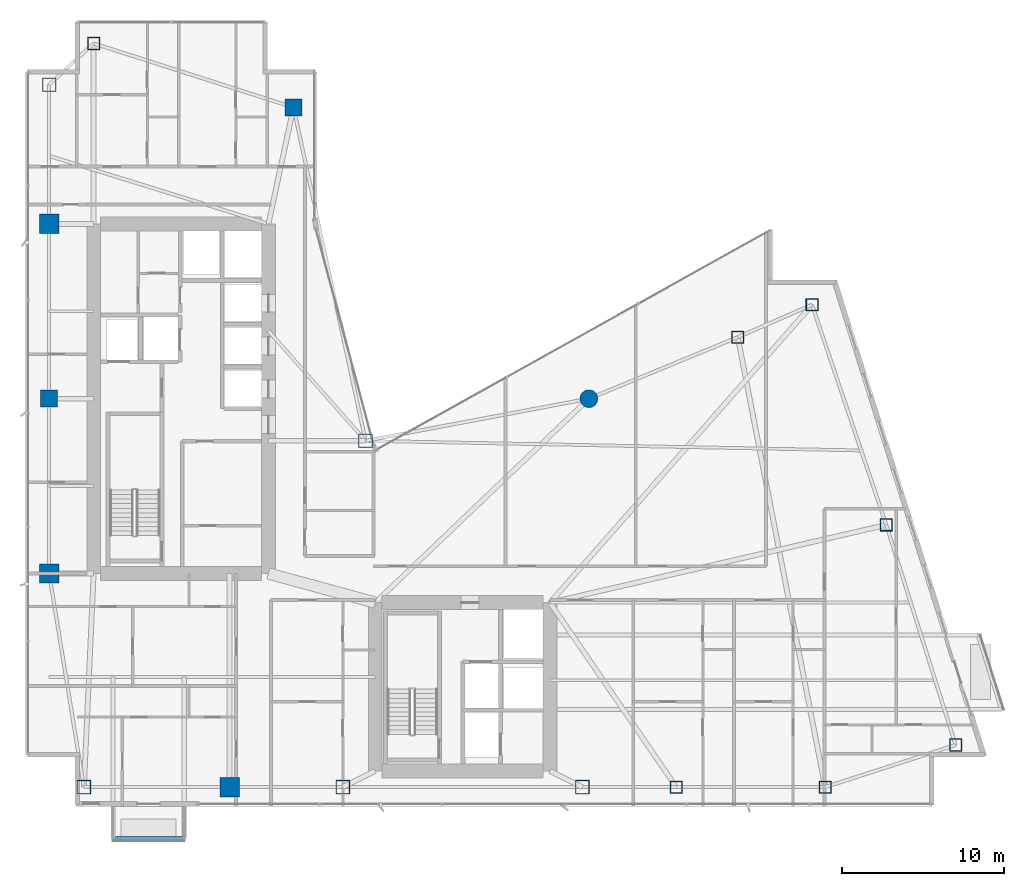
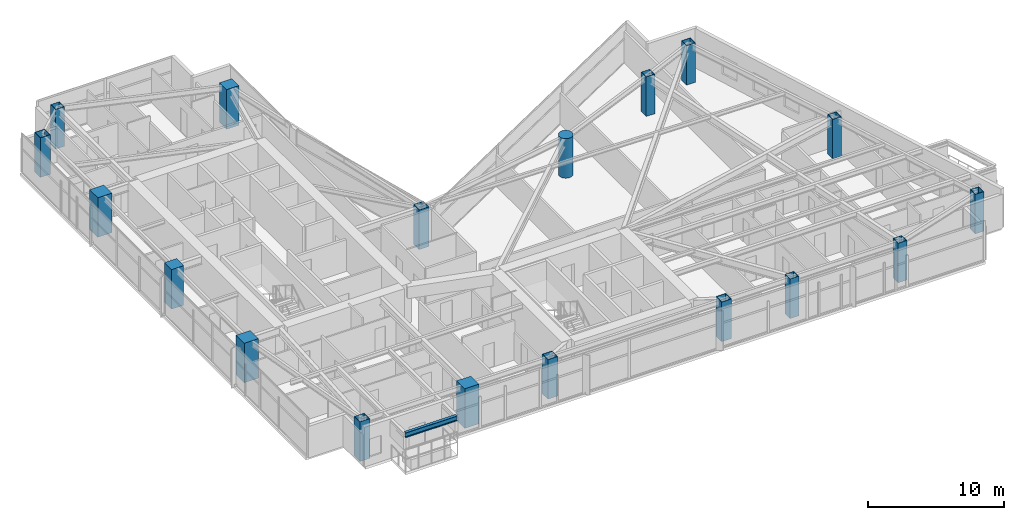
# One storey, part 1 of 29: 18 columns, 1 beam.
"""IFC4 building model written with IfcOpenShell, lengths in metres."""

import ifcopenshell
import ifcopenshell.guid

model = None  # the IFC model being written
_history = None  # IfcOwnerHistory: only IFC2X3 demands one
_inside = {}  # id of a spatial element -> (the spatial element, [elements in it])
_under = {}  # id of a project, library or spatial element -> (it, [spatial elements below it])
_declared = {}  # id of a project -> (the project, [libraries it declares])
_typed = {}  # id of a type object -> (the type object, [elements of that type])
_made_of = {}  # id of a material, layer set ... -> (it, [elements and type objects made of it])


def new_model(schema):
    """Start an empty IFC model of exactly this schema.

    Asked for "IFC4X3", IfcOpenShell would pick the latest addendum, in which some entities
    have other attributes; the version numbers below select the first issue.
    IFC2X3 requires an IfcOwnerHistory on every rooted entity: one is made here for all.
    """
    global model, _history
    if schema == "IFC4X3":
        model = ifcopenshell.file(schema_version=(4, 3, 0, 0))
    else:
        model = ifcopenshell.file(schema=schema)
    _inside.clear()
    _under.clear()
    _declared.clear()
    _typed.clear()
    _made_of.clear()
    _history = None
    if model.schema == "IFC2X3":
        org = make("IfcOrganization", Name="unknown")
        user = make(
            "IfcPersonAndOrganization",
            ThePerson=make("IfcPerson", FamilyName="unknown"),
            TheOrganization=org,
        )
        app = make(
            "IfcApplication",
            ApplicationDeveloper=org,
            Version="unknown",
            ApplicationFullName="unknown",
            ApplicationIdentifier="unknown",
        )
        _history = make(
            "IfcOwnerHistory",
            OwningUser=user,
            OwningApplication=app,
            ChangeAction="ADDED",
            CreationDate=0,
        )
    return model


def make(cls, **values):
    """One entity of the class cls with the attributes given. An attribute that is None is left unset."""
    return model.create_entity(
        cls, **{name: value for name, value in values.items() if value is not None}
    )


def rooted(cls, **values):
    """An entity with a GlobalId (a new one), such as an element, a storey or a relation."""
    return make(cls, GlobalId=ifcopenshell.guid.new(), OwnerHistory=_history, **values)


def si_unit(unit_type, name, prefix=None):
    """IfcSIUnit, for example si_unit("LENGTHUNIT", "METRE", prefix="MILLI")."""
    return make("IfcSIUnit", UnitType=unit_type, Prefix=prefix, Name=name)


def assignment(units):
    """IfcUnitAssignment: the units of a project."""
    return None if units is None else make("IfcUnitAssignment", Units=units)


def point(xyz):
    """IfcCartesianPoint."""
    return None if xyz is None else make("IfcCartesianPoint", Coordinates=xyz)


def direction(xyz):
    """IfcDirection."""
    return None if xyz is None else make("IfcDirection", DirectionRatios=xyz)


def frame(location, z_axis=None, x_axis=None):
    """IfcAxis2Placement3D, a coordinate frame: its origin and axes. An axis left out is left unset."""
    return make(
        "IfcAxis2Placement3D",
        Location=point(location),
        Axis=direction(z_axis),
        RefDirection=direction(x_axis),
    )


def frame_2d(location, x_axis=None):
    """IfcAxis2Placement2D, a coordinate frame in the plane: its origin and x axis."""
    return make(
        "IfcAxis2Placement2D", Location=point(location), RefDirection=direction(x_axis)
    )


def origin():
    """The frame at (0, 0, 0) with its axes left unset."""
    return frame((0.0, 0.0, 0.0))


def origin_2d():
    """The frame at (0, 0) in the plane with its x axis left unset."""
    return frame_2d((0.0, 0.0))


def place(relative_to, where):
    """IfcLocalPlacement: puts the frame where relative to a parent placement (None: the world)."""
    return make(
        "IfcLocalPlacement", PlacementRelTo=relative_to, RelativePlacement=where
    )


def context(
    kind, dimensions, precision=None, world=None, true_north=None, identifier=None
):
    """IfcGeometricRepresentationContext, for example the 3D "Model" context."""
    return make(
        "IfcGeometricRepresentationContext",
        ContextIdentifier=identifier,
        ContextType=kind,
        CoordinateSpaceDimension=dimensions,
        Precision=precision,
        WorldCoordinateSystem=world,
        TrueNorth=true_north,
    )


def subcontext(parent, identifier, kind, view, scale=None):
    """IfcGeometricRepresentationSubContext, for example "Body" below "Model"."""
    return make(
        "IfcGeometricRepresentationSubContext",
        ContextIdentifier=identifier,
        ContextType=kind,
        ParentContext=parent,
        TargetScale=scale,
        TargetView=view,
    )


def project(units=None, contexts=None):
    """IfcProject with its units and contexts."""
    return rooted(
        "IfcProject",
        Name="project",
        RepresentationContexts=contexts,
        UnitsInContext=assignment(units),
    )


def spatial(cls, under=None, at=None, **own):
    """A site, building, storey or space (cls), placed at a placement, below another one or the project."""
    s = rooted(cls, ObjectPlacement=at, **own)
    if under is not None:
        _under.setdefault(under.id(), (under, []))[1].append(s)
    return s


def profile(cls, at=None, kind="AREA", **sizes):
    """A parametric profile (cls). Its sizes go by their IFC names, for example OverallWidth=200.0."""
    return make(cls, ProfileType=kind, Position=at, **sizes)


def rectangle(**sizes):
    """IfcRectangleProfileDef."""
    return profile("IfcRectangleProfileDef", **sizes)


def hollow_rectangle(**sizes):
    """IfcRectangleHollowProfileDef."""
    return profile("IfcRectangleHollowProfileDef", **sizes)


def circle(**sizes):
    """IfcCircleProfileDef."""
    return profile("IfcCircleProfileDef", **sizes)


def i_section(**sizes):
    """IfcIShapeProfileDef."""
    return profile("IfcIShapeProfileDef", **sizes)


def extrude(swept, where, along, depth):
    """IfcExtrudedAreaSolid: the profile swept, set in the frame where, extruded along a direction by depth."""
    return make(
        "IfcExtrudedAreaSolid",
        SweptArea=swept,
        Position=where,
        ExtrudedDirection=direction(along),
        Depth=depth,
    )


def shape(context_of_items, identifier, shape_type, items):
    """IfcShapeRepresentation: the items that make up one representation, for example the "Body"."""
    return make(
        "IfcShapeRepresentation",
        ContextOfItems=context_of_items,
        RepresentationIdentifier=identifier,
        RepresentationType=shape_type,
        Items=items,
    )


def material(Name=None, Category=None):
    """IfcMaterial."""
    return make("IfcMaterial", Name=Name, Category=Category)


def material_profile(
    of_material, cross_section, Name=None, Category=None, Priority=None
):
    """IfcMaterialProfile: a cross section and its material."""
    return make(
        "IfcMaterialProfile",
        Name=Name,
        Material=of_material,
        Profile=cross_section,
        Priority=Priority,
        Category=Category,
    )


def profile_set(profiles, Name=None, composite=None):
    """IfcMaterialProfileSet."""
    return make(
        "IfcMaterialProfileSet",
        Name=Name,
        MaterialProfiles=profiles,
        CompositeProfile=composite,
    )


def made_of(thing, what):
    """Note that an element or type object is made of a material, layer set ...; save() writes the relation."""
    if what is not None:
        _made_of.setdefault(what.id(), (what, []))[1].append(thing)
    return thing


def type_object(cls, material=None, **own):
    """A type object (cls), such as IfcWallType, which elements share."""
    return made_of(rooted(cls, **own), material)


def element(
    cls,
    number,
    at=None,
    inside=None,
    cuts=None,
    type_object=None,
    material=None,
    context=None,
    identifier="Body",
    shape_type=None,
    held_by="IfcProductDefinitionShape",
    body=None,
    shapes=None,
    **own,
):
    """One element of the class cls, such as IfcWall. Its Tag is "e" and its number.

    at: its placement. inside: the storey or other place that contains it. cuts: it is an
    opening in that element (IfcRelVoidsElement). A single representation is given by context,
    identifier, shape_type and body (its items); several are given by shapes. held_by: the class
    of the entity that holds the representations. save() writes the other relations.
    """
    e = rooted(cls, Tag="e%d" % number, ObjectPlacement=at, **own)
    if body is not None:
        shapes = [shape(context, identifier, shape_type, body)]
    if shapes is not None:
        e.Representation = make(held_by, Representations=shapes)
    if inside is not None:
        _inside.setdefault(inside.id(), (inside, []))[1].append(e)
    if cuts is not None:
        rooted(
            "IfcRelVoidsElement", RelatingBuildingElement=cuts, RelatedOpeningElement=e
        )
    if type_object is not None:
        _typed.setdefault(type_object.id(), (type_object, []))[1].append(e)
    return made_of(e, material)


def aggregate(whole, parts):
    """IfcRelAggregates: a whole, such as a stair, and the parts it consists of."""
    return rooted("IfcRelAggregates", RelatingObject=whole, RelatedObjects=parts)


def save(model, path):
    """Write the relations noted so far, then the file.

    IfcRelAggregates (storeys below a building ...), IfcRelContainedInSpatialStructure (elements
    in a storey), IfcRelDefinesByType, IfcRelAssociatesMaterial and IfcRelDeclares: one each for
    every whole, place, type object, material and project.
    """
    for whole, parts in _under.values():
        aggregate(whole, parts)
    for where, things in _inside.values():
        rooted(
            "IfcRelContainedInSpatialStructure",
            RelatedElements=things,
            RelatingStructure=where,
        )
    for kind, things in _typed.values():
        rooted("IfcRelDefinesByType", RelatedObjects=things, RelatingType=kind)
    for what, things in _made_of.values():
        rooted("IfcRelAssociatesMaterial", RelatedObjects=things, RelatingMaterial=what)
    for by, libraries in _declared.values():
        rooted("IfcRelDeclares", RelatingContext=by, RelatedDefinitions=libraries)
    model.write(path)


model = new_model("IFC4")

# Units and contexts
model_context = context("Model", 3, precision=1e-05, world=origin(), true_north=direction((0.0, 1.0)))
body_context = subcontext(model_context, "Body", "Model", "MODEL_VIEW")
ifc_project = project(units=[si_unit("LENGTHUNIT", "METRE"), si_unit("AREAUNIT", "SQUARE_METRE"), si_unit("VOLUMEUNIT", "CUBIC_METRE"), si_unit("PLANEANGLEUNIT", "RADIAN"), si_unit("MASSUNIT", "GRAM", prefix="KILO")], contexts=[model_context])

# Site, building, storey
site_placement = place(None, origin())
site = spatial("IfcSite", under=ifc_project, at=site_placement, CompositionType="ELEMENT")
building_placement = place(site_placement, origin())
building = spatial("IfcBuilding", under=site, at=building_placement, Name="Calvorn Quay Hotel", CompositionType="ELEMENT")
storey_placement = place(building_placement, frame((0.0, 0.0, 120.199951171875)))
storey = spatial("IfcBuildingStorey", under=building, at=storey_placement, Name="L29", CompositionType="ELEMENT", Elevation=120.199951171875)

# Columns
ifc_material_1 = material(Name="Concrete C50", Category="concrete")
ifc_material_profile_1 = material_profile(ifc_material_1, rectangle(XDim=1.050048828125, YDim=1.050048828125, at=origin_2d()), Name="RC1050x1050")
ifc_profile_set_1 = profile_set([ifc_material_profile_1], Name="Concrete C50")
column_type_1 = type_object("IfcColumnType", Name="COL-RC-1050", PredefinedType="COLUMN", material=ifc_profile_set_1)
for number, where, z_axis, x_axis, name in (
    (1, (1.449951171875, 27.60009765625, 0.0), (0.0, 0.0, 1.0), (1.0, 0.0, 0.0), "Column C-W3 (L29)"),
    (2, (16.550048828125, 45.60009765625, 0.0), (0.0, 0.0, 1.0), (1.0, 0.0, 0.0), "Column C-IC1 (L29)"),
):
    element("IfcColumn", number, at=place(storey_placement, frame(where, z_axis=z_axis, x_axis=x_axis)), inside=storey, type_object=column_type_1, Name=name, PredefinedType="COLUMN", context=body_context, shape_type="SweptSolid", body=[
        extrude(rectangle(XDim=1.050048828125, YDim=1.050048828125, at=origin_2d()), origin(), (0.0, 0.0, 1.0), 3.56005859375),
    ])
ifc_material_2 = material(Name="Concrete C50", Category="concrete")
ifc_material_profile_2 = material_profile(ifc_material_2, rectangle(XDim=1.199951171875, YDim=1.199951171875, at=origin_2d()), Name="RC1200x1200")
ifc_profile_set_2 = profile_set([ifc_material_profile_2], Name="Concrete C50")
column_type_2 = type_object("IfcColumnType", Name="COL-RC-1200", PredefinedType="COLUMN", material=ifc_profile_set_2)
for number, where, z_axis, x_axis, name in (
    (3, (1.449951171875, 16.800048828125, 0.0), (0.0, 0.0, 1.0), (1.0, 0.0, 0.0), "Column C-W2 (L29)"),
    (4, (1.449951171875, 38.39990234375, 0.0), (0.0, 0.0, 1.0), (1.0, 0.0, 0.0), "Column C-W4 (L29)"),
    (5, (12.60009765625, 3.60009765625, 0.0), (0.0, 0.0, 1.0), (1.0, 0.0, 0.0), "Column C-S1 (L29)"),
):
    element("IfcColumn", number, at=place(storey_placement, frame(where, z_axis=z_axis, x_axis=x_axis)), inside=storey, type_object=column_type_2, Name=name, PredefinedType="COLUMN", context=body_context, shape_type="SweptSolid", body=[
        extrude(rectangle(XDim=1.199951171875, YDim=1.199951171875, at=origin_2d()), origin(), (0.0, 0.0, 1.0), 3.56005859375),
    ])
ifc_material_3 = material(Name="Concrete C50", Category="concrete")
ifc_material_profile_3 = material_profile(ifc_material_3, circle(Radius=0.550048828125, at=origin_2d()), Name="RCD1100")
ifc_profile_set_3 = profile_set([ifc_material_profile_3], Name="Concrete C50")
column_type_3 = type_object("IfcColumnType", Name="COL-RC-D1100", PredefinedType="COLUMN", material=ifc_profile_set_3)
column_placement = place(storey_placement, frame((34.800048828125, 27.60009765625, 0.0), z_axis=(0.0, 0.0, 1.0), x_axis=(1.0, 0.0, 0.0)))
element("IfcColumn", 6, at=column_placement, inside=storey, type_object=column_type_3, Name="Column C-NC1 (L29)", PredefinedType="COLUMN", context=body_context, shape_type="SweptSolid", body=[
    extrude(circle(Radius=0.550048828125, at=origin_2d()), origin(), (0.0, 0.0, 1.0), 3.56005859375),
])
ifc_material_4 = material(Name="Steel Q390GJC", Category="steel")
ifc_material_profile_4 = material_profile(ifc_material_4, hollow_rectangle(XDim=0.85009765625, YDim=0.85009765625, WallThickness=0.035888671875, at=origin_2d()), Name="BOX850x850x36")
ifc_profile_set_4 = profile_set([ifc_material_profile_4], Name="Steel Q390GJC")
column_type_4 = type_object("IfcColumnType", Name="COL-STL-Z2", PredefinedType="COLUMN", material=ifc_profile_set_4)
for number, where, z_axis, x_axis, name in (
    (7, (3.60009765625, 3.60009765625, 0.0), (0.0, 0.0, 1.0), (1.0, 0.0, 0.0), "Column C-W1 (L29)"),
    (8, (1.449951171875, 47.0, 0.0), (0.0, 0.0, 1.0), (1.0, 0.0, 0.0), "Column C-W5 (L29)"),
    (9, (21.0, 25.0, 0.0), (0.0, 0.0, 1.0), (1.0, 0.0, 0.0), "Column C-IC2 (L29)"),
    (10, (19.60009765625, 3.60009765625, 0.0), (0.0, 0.0, 1.0), (1.0, 0.0, 0.0), "Column C-S2 (L29)"),
    (11, (34.39990234375, 3.60009765625, 0.0), (0.0, 0.0, 1.0), (1.0, 0.0, 0.0), "Column C-S3 (L29)"),
):
    element("IfcColumn", number, at=place(storey_placement, frame(where, z_axis=z_axis, x_axis=x_axis)), inside=storey, type_object=column_type_4, Name=name, PredefinedType="COLUMN", context=body_context, shape_type="SweptSolid", body=[
        extrude(hollow_rectangle(XDim=0.85009765625, YDim=0.85009765625, WallThickness=0.035888671875, at=origin_2d()), origin(), (0.0, 0.0, 1.0), 3.56005859375),
    ])
ifc_material_5 = material(Name="Steel Q390GJC", Category="steel")
ifc_material_profile_5 = material_profile(ifc_material_5, hollow_rectangle(XDim=0.75, YDim=0.75, WallThickness=0.031982421875, at=origin_2d()), Name="BOX750x750x32")
ifc_profile_set_5 = profile_set([ifc_material_profile_5], Name="Steel Q390GJC")
column_type_5 = type_object("IfcColumnType", Name="COL-STL-Z3", PredefinedType="COLUMN", material=ifc_profile_set_5)
for number, where, z_axis, x_axis, name in (
    (12, (4.199951171875, 49.550048828125, 0.0), (0.0, 0.0, 1.0), (1.0, 0.0, 0.0), "Column C-NW1 (L29)"),
    (13, (40.199951171875, 3.60009765625, 0.0), (0.0, 0.0, 1.0), (1.0, 0.0, 0.0), "Column C-S4 (L29)"),
    (14, (49.39990234375, 3.60009765625, 0.0), (0.0, 0.0, 1.0), (1.0, 0.0, 0.0), "Column C-S5 (L29)"),
    (15, (44.0, 31.39990234375, 0.0), (0.0, 0.0, 1.0), (1.0, 0.0, 0.0), "Column C-NC2 (L29)"),
    (16, (57.4609375, 6.199951171875, 0.0), (0.0, 0.0, 1.0), (1.0, 0.0, 0.0), "Column C-ET1 (L29)"),
    (17, (53.176025390625, 19.800048828125, 0.0), (0.0, 0.0, 1.0), (1.0, 0.0, 0.0), "Column C-ET2 (L29)"),
    (18, (48.591064453125, 33.39990234375, 0.0), (0.0, 0.0, 1.0), (1.0, 0.0, 0.0), "Column C-ET3 (L29)"),
):
    element("IfcColumn", number, at=place(storey_placement, frame(where, z_axis=z_axis, x_axis=x_axis)), inside=storey, type_object=column_type_5, Name=name, PredefinedType="COLUMN", context=body_context, shape_type="SweptSolid", body=[
        extrude(hollow_rectangle(XDim=0.75, YDim=0.75, WallThickness=0.031982421875, at=origin_2d()), origin(), (0.0, 0.0, 1.0), 3.56005859375),
    ])

# Beam
ifc_material_6 = material(Name="Steel Q355B", Category="steel")
ifc_material_profile_6 = material_profile(ifc_material_6, i_section(OverallWidth=0.25, OverallDepth=0.449951171875, WebThickness=0.011962890625, FlangeThickness=0.01611328125, FilletRadius=0.01611328125, at=origin_2d()), Name="HN450x250x12x16")
ifc_profile_set_6 = profile_set([ifc_material_profile_6], Name="Steel Q355B")
beam_type = type_object("IfcBeamType", Name="BM-CANT-BALC", PredefinedType="BEAM", material=ifc_profile_set_6)
beam_placement = place(storey_placement, frame((5.39990234375, 0.409912109375, 3.31494140625), z_axis=(1.0, 0.0, 0.0), x_axis=(0.0, 1.0, 0.0)))
element("IfcBeam", 19, at=beam_placement, inside=storey, type_object=beam_type, Name="Beam BCBO-L30-2", PredefinedType="BEAM", context=body_context, shape_type="SweptSolid", body=[
    extrude(i_section(OverallWidth=0.25, OverallDepth=0.449951171875, WebThickness=0.011962890625, FlangeThickness=0.01611328125, FilletRadius=0.01611328125, at=origin_2d()), origin(), (0.0, 0.0, 1.0), 4.400146484375),
])

save(model, "model.ifc")
